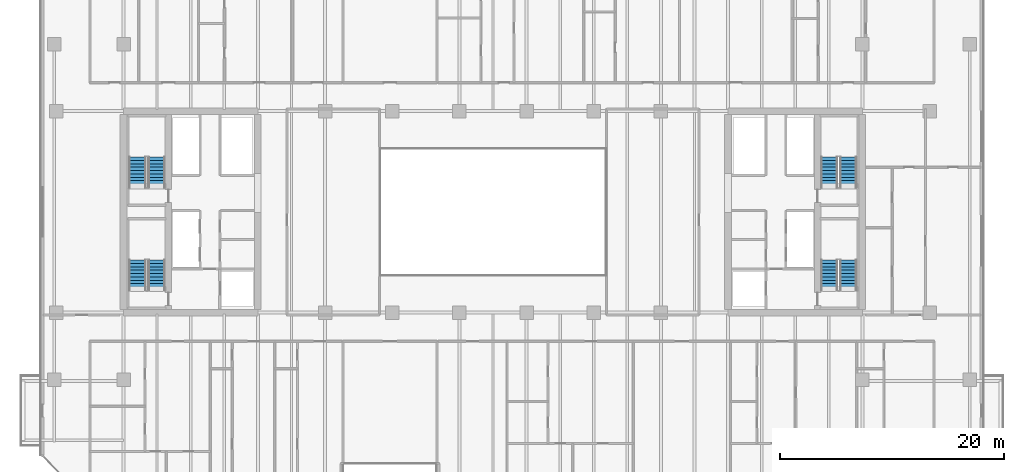
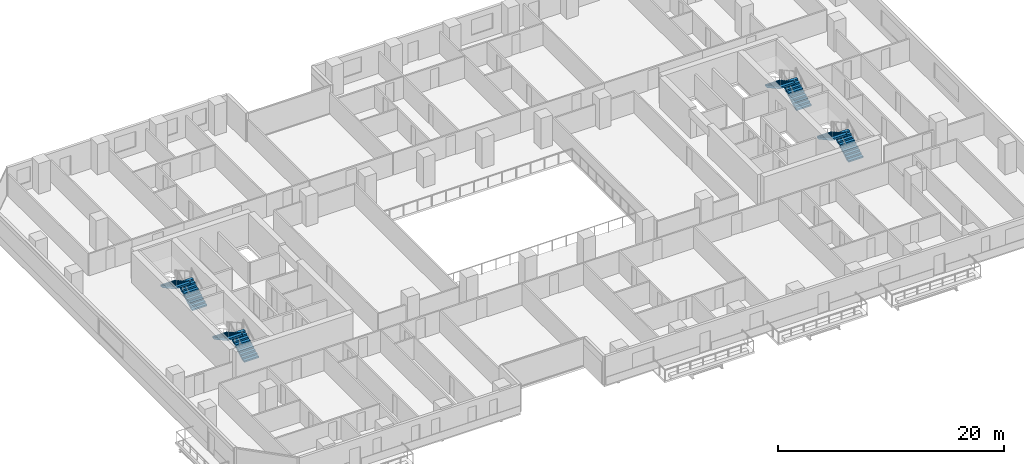
# One storey, part 24 of 33: 8 stair flights, 4 elements without a shape of their own.
"""IFC4 building model written with IfcOpenShell, lengths in metres."""

from ifc_helpers import new_model, si_unit, direction, frame, origin, place, context, subcontext, project, spatial, polyline, outline, extrude, material, type_object, element, aggregate, save


model = new_model("IFC4")

# Units and contexts
model_context = context("Model", 3, precision=1e-05, world=origin(), true_north=direction((0.0, 1.0)))
body_context = subcontext(model_context, "Body", "Model", "MODEL_VIEW")
ifc_project = project(units=[si_unit("LENGTHUNIT", "METRE"), si_unit("AREAUNIT", "SQUARE_METRE"), si_unit("VOLUMEUNIT", "CUBIC_METRE"), si_unit("PLANEANGLEUNIT", "RADIAN"), si_unit("MASSUNIT", "GRAM", prefix="KILO")], contexts=[model_context])

# Site, building, storey
site_placement = place(None, origin())
site = spatial("IfcSite", under=ifc_project, at=site_placement, CompositionType="ELEMENT")
building_placement = place(site_placement, origin())
building = spatial("IfcBuilding", under=site, at=building_placement, Name="Tanjung Sevakor Pilgrim Tower", CompositionType="ELEMENT")
storey_placement = place(building_placement, frame((0.0, 0.0, 32.340087890625)))
storey = spatial("IfcBuildingStorey", under=building, at=storey_placement, Name="L08", CompositionType="ELEMENT", Elevation=32.340087890625)

# Stair, stair flights
ifc_material_1 = material(Name="Concrete C40/50", Category="concrete")
stair_type = type_object("IfcStairType", Name="STAIR-ST-CR150", PredefinedType="HALF_TURN_STAIR", material=ifc_material_1)
stair_1_placement = place(storey_placement, origin())
stair_1 = element("IfcStair", 1, at=stair_1_placement, inside=storey, type_object=stair_type, Name="L08 West Core Exit Stair 1", PredefinedType="HALF_TURN_STAIR")
ifc_material_2 = material(Name="Concrete C40/50", Category="concrete")
stair_flight_type = type_object("IfcStairFlightType", Name="FLIGHT-ST-CR150", PredefinedType="STRAIGHT", material=ifc_material_2)
stair_flight_1_placement = place(storey_placement, frame((26.949951171875, 26.60009765625, 0.0), z_axis=(0.0, 0.0, 1.0), x_axis=(0.0, 1.0, 0.0)))
stair_flight_1 = element("IfcStairFlight", 2, at=stair_flight_1_placement, type_object=stair_flight_type, Name="TS-W1 flight 1", NumberOfRisers=10, NumberOfTreads=9, PredefinedType="STRAIGHT", RiserHeight=0.165, TreadLength=0.3, context=body_context, shape_type="SweptSolid", body=[
    extrude(outline(polyline([(0.0, 0.0), (0.0, 0.1650390625), (0.300048828125, 0.1650390625), (0.300048828125, 0.330078125), (0.60009765625, 0.330078125), (0.60009765625, 0.4951171875), (0.89990234375, 0.4951171875), (0.89990234375, 0.659912109375), (1.199951171875, 0.659912109375), (1.199951171875, 0.824951171875), (1.5, 0.824951171875), (1.5, 0.989990234375), (1.800048828125, 0.989990234375), (1.800048828125, 1.155029296875), (2.10009765625, 1.155029296875), (2.10009765625, 1.320068359375), (2.39990234375, 1.320068359375), (2.39990234375, 1.485107421875), (2.699951171875, 1.485107421875), (2.699951171875, 1.64990234375), (2.699951171875, 1.302490234375), (0.331787109375, 0.0), (0.0, 0.0)])), frame((0.0, 0.75, 0.0), z_axis=(0.0, -1.0, 0.0), x_axis=(1.0, 0.0, 0.0)), (0.0, 0.0, 1.0), 1.5),
])
stair_flight_2_placement = place(storey_placement, frame((25.25, 29.300048828125, 1.64990234375), z_axis=(0.0, 0.0, 1.0), x_axis=(0.0, -1.0, 0.0)))
stair_flight_2 = element("IfcStairFlight", 3, at=stair_flight_2_placement, type_object=stair_flight_type, Name="TS-W1 flight 2", NumberOfRisers=10, NumberOfTreads=9, PredefinedType="STRAIGHT", RiserHeight=0.165, TreadLength=0.3, context=body_context, shape_type="SweptSolid", body=[
    extrude(outline(polyline([(0.0, 0.0), (0.0, 0.1650390625), (0.300048828125, 0.1650390625), (0.300048828125, 0.330078125), (0.60009765625, 0.330078125), (0.60009765625, 0.4951171875), (0.89990234375, 0.4951171875), (0.89990234375, 0.659912109375), (1.199951171875, 0.659912109375), (1.199951171875, 0.824951171875), (1.5, 0.824951171875), (1.5, 0.989990234375), (1.800048828125, 0.989990234375), (1.800048828125, 1.155029296875), (2.10009765625, 1.155029296875), (2.10009765625, 1.320068359375), (2.39990234375, 1.320068359375), (2.39990234375, 1.485107421875), (2.699951171875, 1.485107421875), (2.699951171875, 1.64990234375), (2.699951171875, 1.302490234375), (0.331787109375, 0.0), (0.0, 0.0)])), frame((0.0, 0.75, 0.0), z_axis=(0.0, -1.0, 0.0), x_axis=(1.0, 0.0, 0.0)), (0.0, 0.0, 1.0), 1.5),
])
aggregate(stair_1, [stair_flight_1, stair_flight_2])

stair_2_placement = place(storey_placement, origin())
stair_2 = element("IfcStair", 4, at=stair_2_placement, inside=storey, type_object=stair_type, Name="L08 West Core Exit Stair 2", PredefinedType="HALF_TURN_STAIR")
stair_flight_3_placement = place(storey_placement, frame((26.949951171875, 35.800048828125, 0.0), z_axis=(0.0, 0.0, 1.0), x_axis=(0.0, 1.0, 0.0)))
stair_flight_3 = element("IfcStairFlight", 5, at=stair_flight_3_placement, type_object=stair_flight_type, Name="TS-W2 flight 1", NumberOfRisers=10, NumberOfTreads=9, PredefinedType="STRAIGHT", RiserHeight=0.165, TreadLength=0.3, context=body_context, shape_type="SweptSolid", body=[
    extrude(outline(polyline([(0.0, 0.0), (0.0, 0.1650390625), (0.300048828125, 0.1650390625), (0.300048828125, 0.330078125), (0.60009765625, 0.330078125), (0.60009765625, 0.4951171875), (0.89990234375, 0.4951171875), (0.89990234375, 0.659912109375), (1.199951171875, 0.659912109375), (1.199951171875, 0.824951171875), (1.5, 0.824951171875), (1.5, 0.989990234375), (1.800048828125, 0.989990234375), (1.800048828125, 1.155029296875), (2.10009765625, 1.155029296875), (2.10009765625, 1.320068359375), (2.39990234375, 1.320068359375), (2.39990234375, 1.485107421875), (2.699951171875, 1.485107421875), (2.699951171875, 1.64990234375), (2.699951171875, 1.302490234375), (0.331787109375, 0.0), (0.0, 0.0)])), frame((0.0, 0.75, 0.0), z_axis=(0.0, -1.0, 0.0), x_axis=(1.0, 0.0, 0.0)), (0.0, 0.0, 1.0), 1.5),
])
stair_flight_4_placement = place(storey_placement, frame((25.25, 38.5, 1.64990234375), z_axis=(0.0, 0.0, 1.0), x_axis=(0.0, -1.0, 0.0)))
stair_flight_4 = element("IfcStairFlight", 6, at=stair_flight_4_placement, type_object=stair_flight_type, Name="TS-W2 flight 2", NumberOfRisers=10, NumberOfTreads=9, PredefinedType="STRAIGHT", RiserHeight=0.165, TreadLength=0.3, context=body_context, shape_type="SweptSolid", body=[
    extrude(outline(polyline([(0.0, 0.0), (0.0, 0.1650390625), (0.300048828125, 0.1650390625), (0.300048828125, 0.330078125), (0.60009765625, 0.330078125), (0.60009765625, 0.4951171875), (0.89990234375, 0.4951171875), (0.89990234375, 0.659912109375), (1.199951171875, 0.659912109375), (1.199951171875, 0.824951171875), (1.5, 0.824951171875), (1.5, 0.989990234375), (1.800048828125, 0.989990234375), (1.800048828125, 1.155029296875), (2.10009765625, 1.155029296875), (2.10009765625, 1.320068359375), (2.39990234375, 1.320068359375), (2.39990234375, 1.485107421875), (2.699951171875, 1.485107421875), (2.699951171875, 1.64990234375), (2.699951171875, 1.302490234375), (0.331787109375, 0.0), (0.0, 0.0)])), frame((0.0, 0.75, 0.0), z_axis=(0.0, -1.0, 0.0), x_axis=(1.0, 0.0, 0.0)), (0.0, 0.0, 1.0), 1.5),
])
aggregate(stair_2, [stair_flight_3, stair_flight_4])

stair_3_placement = place(storey_placement, origin())
stair_3 = element("IfcStair", 7, at=stair_3_placement, inside=storey, type_object=stair_type, Name="L08 East Core Exit Stair 1", PredefinedType="HALF_TURN_STAIR")
stair_flight_5_placement = place(storey_placement, frame((88.75, 26.60009765625, 0.0), z_axis=(0.0, 0.0, 1.0), x_axis=(0.0, 1.0, 0.0)))
stair_flight_5 = element("IfcStairFlight", 8, at=stair_flight_5_placement, type_object=stair_flight_type, Name="TS-E1 flight 1", NumberOfRisers=10, NumberOfTreads=9, PredefinedType="STRAIGHT", RiserHeight=0.165, TreadLength=0.3, context=body_context, shape_type="SweptSolid", body=[
    extrude(outline(polyline([(0.0, 0.0), (0.0, 0.1650390625), (0.300048828125, 0.1650390625), (0.300048828125, 0.330078125), (0.60009765625, 0.330078125), (0.60009765625, 0.4951171875), (0.89990234375, 0.4951171875), (0.89990234375, 0.659912109375), (1.199951171875, 0.659912109375), (1.199951171875, 0.824951171875), (1.5, 0.824951171875), (1.5, 0.989990234375), (1.800048828125, 0.989990234375), (1.800048828125, 1.155029296875), (2.10009765625, 1.155029296875), (2.10009765625, 1.320068359375), (2.39990234375, 1.320068359375), (2.39990234375, 1.485107421875), (2.699951171875, 1.485107421875), (2.699951171875, 1.64990234375), (2.699951171875, 1.302490234375), (0.331787109375, 0.0), (0.0, 0.0)])), frame((0.0, 0.75, 0.0), z_axis=(0.0, -1.0, 0.0), x_axis=(1.0, 0.0, 0.0)), (0.0, 0.0, 1.0), 1.5),
])
stair_flight_6_placement = place(storey_placement, frame((87.050048828125, 29.300048828125, 1.64990234375), z_axis=(0.0, 0.0, 1.0), x_axis=(0.0, -1.0, 0.0)))
stair_flight_6 = element("IfcStairFlight", 9, at=stair_flight_6_placement, type_object=stair_flight_type, Name="TS-E1 flight 2", NumberOfRisers=10, NumberOfTreads=9, PredefinedType="STRAIGHT", RiserHeight=0.165, TreadLength=0.3, context=body_context, shape_type="SweptSolid", body=[
    extrude(outline(polyline([(0.0, 0.0), (0.0, 0.1650390625), (0.300048828125, 0.1650390625), (0.300048828125, 0.330078125), (0.60009765625, 0.330078125), (0.60009765625, 0.4951171875), (0.89990234375, 0.4951171875), (0.89990234375, 0.659912109375), (1.199951171875, 0.659912109375), (1.199951171875, 0.824951171875), (1.5, 0.824951171875), (1.5, 0.989990234375), (1.800048828125, 0.989990234375), (1.800048828125, 1.155029296875), (2.10009765625, 1.155029296875), (2.10009765625, 1.320068359375), (2.39990234375, 1.320068359375), (2.39990234375, 1.485107421875), (2.699951171875, 1.485107421875), (2.699951171875, 1.64990234375), (2.699951171875, 1.302490234375), (0.331787109375, 0.0), (0.0, 0.0)])), frame((0.0, 0.75, 0.0), z_axis=(0.0, -1.0, 0.0), x_axis=(1.0, 0.0, 0.0)), (0.0, 0.0, 1.0), 1.5),
])
aggregate(stair_3, [stair_flight_5, stair_flight_6])

stair_4_placement = place(storey_placement, origin())
stair_4 = element("IfcStair", 10, at=stair_4_placement, inside=storey, type_object=stair_type, Name="L08 East Core Exit Stair 2", PredefinedType="HALF_TURN_STAIR")
stair_flight_7_placement = place(storey_placement, frame((88.75, 35.800048828125, 0.0), z_axis=(0.0, 0.0, 1.0), x_axis=(0.0, 1.0, 0.0)))
stair_flight_7 = element("IfcStairFlight", 11, at=stair_flight_7_placement, type_object=stair_flight_type, Name="TS-E2 flight 1", NumberOfRisers=10, NumberOfTreads=9, PredefinedType="STRAIGHT", RiserHeight=0.165, TreadLength=0.3, context=body_context, shape_type="SweptSolid", body=[
    extrude(outline(polyline([(0.0, 0.0), (0.0, 0.1650390625), (0.300048828125, 0.1650390625), (0.300048828125, 0.330078125), (0.60009765625, 0.330078125), (0.60009765625, 0.4951171875), (0.89990234375, 0.4951171875), (0.89990234375, 0.659912109375), (1.199951171875, 0.659912109375), (1.199951171875, 0.824951171875), (1.5, 0.824951171875), (1.5, 0.989990234375), (1.800048828125, 0.989990234375), (1.800048828125, 1.155029296875), (2.10009765625, 1.155029296875), (2.10009765625, 1.320068359375), (2.39990234375, 1.320068359375), (2.39990234375, 1.485107421875), (2.699951171875, 1.485107421875), (2.699951171875, 1.64990234375), (2.699951171875, 1.302490234375), (0.331787109375, 0.0), (0.0, 0.0)])), frame((0.0, 0.75, 0.0), z_axis=(0.0, -1.0, 0.0), x_axis=(1.0, 0.0, 0.0)), (0.0, 0.0, 1.0), 1.5),
])
stair_flight_8_placement = place(storey_placement, frame((87.050048828125, 38.5, 1.64990234375), z_axis=(0.0, 0.0, 1.0), x_axis=(0.0, -1.0, 0.0)))
stair_flight_8 = element("IfcStairFlight", 12, at=stair_flight_8_placement, type_object=stair_flight_type, Name="TS-E2 flight 2", NumberOfRisers=10, NumberOfTreads=9, PredefinedType="STRAIGHT", RiserHeight=0.165, TreadLength=0.3, context=body_context, shape_type="SweptSolid", body=[
    extrude(outline(polyline([(0.0, 0.0), (0.0, 0.1650390625), (0.300048828125, 0.1650390625), (0.300048828125, 0.330078125), (0.60009765625, 0.330078125), (0.60009765625, 0.4951171875), (0.89990234375, 0.4951171875), (0.89990234375, 0.659912109375), (1.199951171875, 0.659912109375), (1.199951171875, 0.824951171875), (1.5, 0.824951171875), (1.5, 0.989990234375), (1.800048828125, 0.989990234375), (1.800048828125, 1.155029296875), (2.10009765625, 1.155029296875), (2.10009765625, 1.320068359375), (2.39990234375, 1.320068359375), (2.39990234375, 1.485107421875), (2.699951171875, 1.485107421875), (2.699951171875, 1.64990234375), (2.699951171875, 1.302490234375), (0.331787109375, 0.0), (0.0, 0.0)])), frame((0.0, 0.75, 0.0), z_axis=(0.0, -1.0, 0.0), x_axis=(1.0, 0.0, 0.0)), (0.0, 0.0, 1.0), 1.5),
])
aggregate(stair_4, [stair_flight_7, stair_flight_8])

save(model, "model.ifc")
